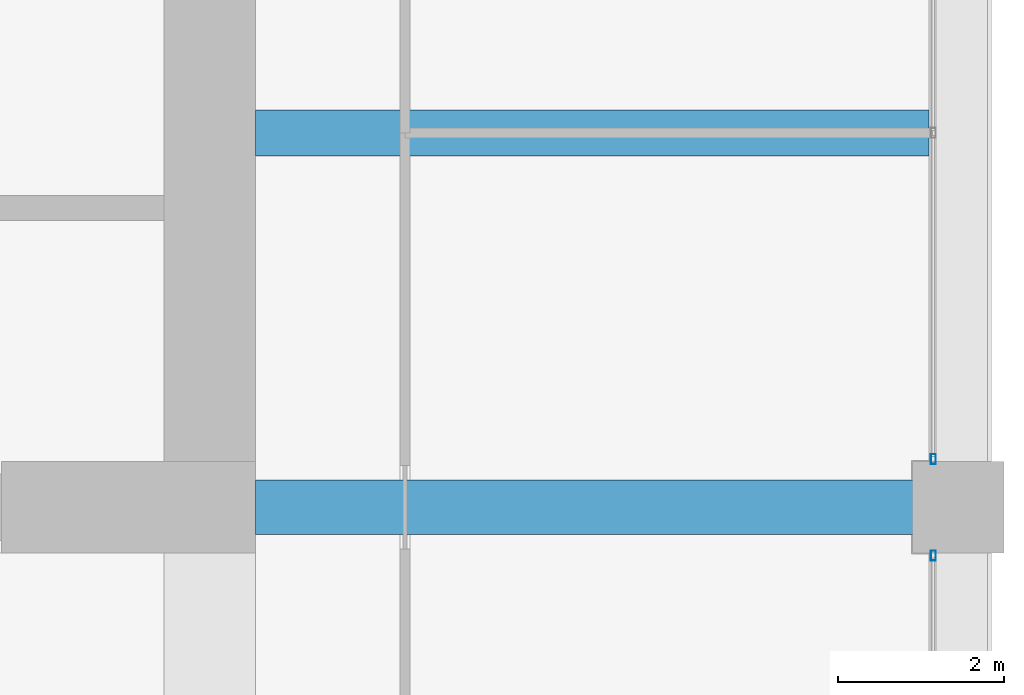
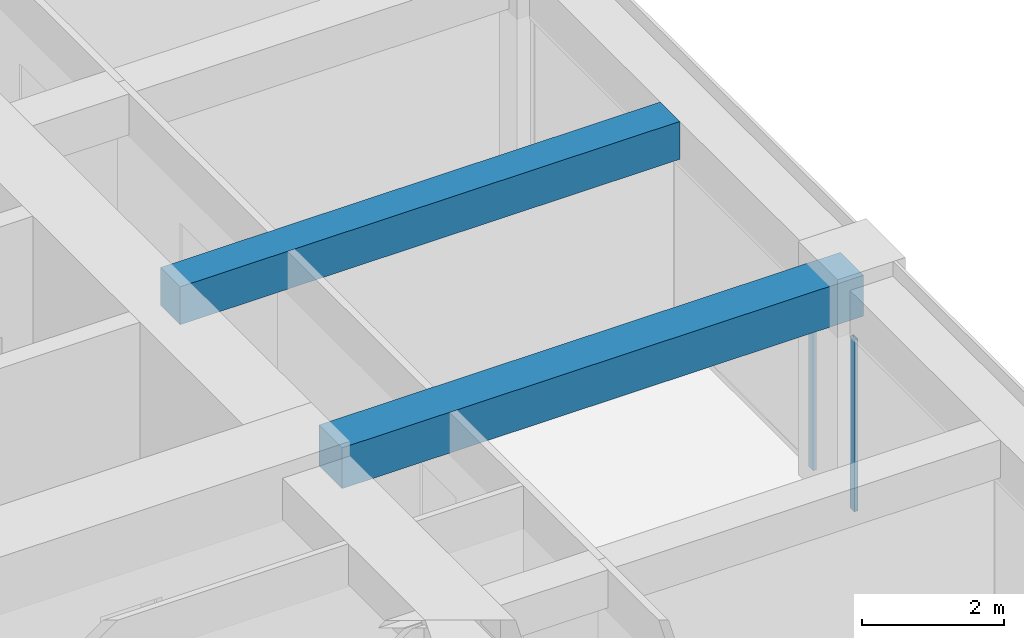
# One storey, part 24 of 44: 2 beams, 2 members, 2 elements without a shape of their own.
"""IFC4 building model written with IfcOpenShell, lengths in metres."""

from ifc_helpers import new_model, si_unit, direction, frame, origin, origin_2d, place, context, subcontext, project, spatial, rectangle, hollow_rectangle, extrude, material, material_profile, profile_set, type_object, element, aggregate, save


model = new_model("IFC4")

# Units and contexts
model_context = context("Model", 3, precision=1e-05, world=origin(), true_north=direction((0.0, 1.0)))
body_context = subcontext(model_context, "Body", "Model", "MODEL_VIEW")
ifc_project = project(units=[si_unit("LENGTHUNIT", "METRE"), si_unit("AREAUNIT", "SQUARE_METRE"), si_unit("VOLUMEUNIT", "CUBIC_METRE"), si_unit("PLANEANGLEUNIT", "RADIAN"), si_unit("MASSUNIT", "GRAM", prefix="KILO")], contexts=[model_context])

# Site, building, storey
site_placement = place(None, origin())
site = spatial("IfcSite", under=ifc_project, at=site_placement, CompositionType="ELEMENT")
building_placement = place(site_placement, origin())
building = spatial("IfcBuilding", under=site, at=building_placement, Name="Zorevar Civic Tower", CompositionType="ELEMENT")
storey_placement = place(building_placement, frame((0.0, 0.0, 287.39990234375)))
storey = spatial("IfcBuildingStorey", under=building, at=storey_placement, Name="L70", CompositionType="ELEMENT", Elevation=287.39990234375)

# Beams
ifc_material_1 = material(Name="Concrete C50/60", Category="concrete")
ifc_material_profile_1 = material_profile(ifc_material_1, rectangle(XDim=0.550048828125, YDim=0.64990234375, at=origin_2d()), Name="RC 550x650")
ifc_profile_set_1 = profile_set([ifc_material_profile_1], Name="Concrete C50/60")
beam_type_1 = type_object("IfcBeamType", Name="Beam RC 550x650", PredefinedType="BEAM", material=ifc_profile_set_1)
beam_1_placement = place(storey_placement, frame((45.550048828125, 22.5, 3.425048828125), z_axis=(1.0, 0.0, 0.0), x_axis=(0.0, 1.0, 0.0)))
element("IfcBeam", 1, at=beam_1_placement, inside=storey, type_object=beam_type_1, Name="Secondary beam L71", PredefinedType="BEAM", context=body_context, shape_type="SweptSolid", body=[
    extrude(rectangle(XDim=0.550048828125, YDim=0.64990234375, at=origin_2d()), origin(), (0.0, 0.0, 1.0), 8.099853515625),
])
ifc_material_2 = material(Name="Concrete C50/60", Category="concrete")
ifc_material_profile_2 = material_profile(ifc_material_2, rectangle(XDim=0.64990234375, YDim=0.699951171875, at=origin_2d()), Name="RC 650x700")
ifc_profile_set_2 = profile_set([ifc_material_profile_2], Name="Concrete C50/60")
beam_type_2 = type_object("IfcBeamType", Name="Beam RC 650x700", PredefinedType="BEAM", material=ifc_profile_set_2)
beam_2_placement = place(storey_placement, frame((45.550048828125, 18.0, 3.400146484375), z_axis=(1.0, 0.0, 0.0), x_axis=(0.0, 1.0, 0.0)))
element("IfcBeam", 2, at=beam_2_placement, inside=storey, type_object=beam_type_2, Name="Girder L71", PredefinedType="BEAM", context=body_context, shape_type="SweptSolid", body=[
    extrude(rectangle(XDim=0.64990234375, YDim=0.699951171875, at=origin_2d()), origin(), (0.0, 0.0, 1.0), 8.449951171875),
])

# Curtain wall, member
ifc_material_3 = material(Name="Dark grey solar-control glass in black aluminium frame", Category="aluminium")
curtain_wall_type = type_object("IfcCurtainWallType", Name="Curtain wall CW5 top zone", PredefinedType="NOTDEFINED", material=ifc_material_3)
curtain_wall_1_placement = place(storey_placement, origin())
curtain_wall_1 = element("IfcCurtainWall", 3, at=curtain_wall_1_placement, inside=storey, type_object=curtain_wall_type, Name="CW5 L70", PredefinedType="NOTDEFINED")
ifc_material_4 = material(Name="Aluminium, black anodised", Category="aluminium")
ifc_material_profile_3 = material_profile(ifc_material_4, hollow_rectangle(XDim=0.06005859375, YDim=0.1201171875, WallThickness=0.0029296875, at=origin_2d()), Name="AL 120x60x3")
ifc_profile_set_3 = profile_set([ifc_material_profile_3], Name="Aluminium, black anodised")
member_type = type_object("IfcMemberType", Name="CW5 mullion AL 120x60x3", PredefinedType="MULLION", material=ifc_profile_set_3)
member_1_placement = place(storey_placement, frame((53.699951171875, 17.419921875, 0.0), z_axis=(0.0, 0.0, 1.0), x_axis=(-1.0, 0.0, 0.0)))
member_1 = element("IfcMember", 4, at=member_1_placement, type_object=member_type, Name="CW5 mullion 3", PredefinedType="MULLION", context=body_context, shape_type="SweptSolid", body=[
    extrude(hollow_rectangle(XDim=0.06005859375, YDim=0.1201171875, WallThickness=0.0029296875, at=origin_2d()), origin(), (0.0, 0.0, 1.0), 2.9501953125),
])
aggregate(curtain_wall_1, [member_1])

curtain_wall_2_placement = place(storey_placement, origin())
curtain_wall_2 = element("IfcCurtainWall", 5, at=curtain_wall_2_placement, inside=storey, type_object=curtain_wall_type, Name="CW5 L70", PredefinedType="NOTDEFINED")
member_2_placement = place(storey_placement, frame((53.699951171875, 18.580078125, 0.0), z_axis=(0.0, 0.0, 1.0), x_axis=(-1.0, 0.0, 0.0)))
member_2 = element("IfcMember", 6, at=member_2_placement, type_object=member_type, Name="CW5 mullion 1", PredefinedType="MULLION", context=body_context, shape_type="SweptSolid", body=[
    extrude(hollow_rectangle(XDim=0.06005859375, YDim=0.1201171875, WallThickness=0.0029296875, at=origin_2d()), origin(), (0.0, 0.0, 1.0), 2.9501953125),
])
aggregate(curtain_wall_2, [member_2])

save(model, "model.ifc")
